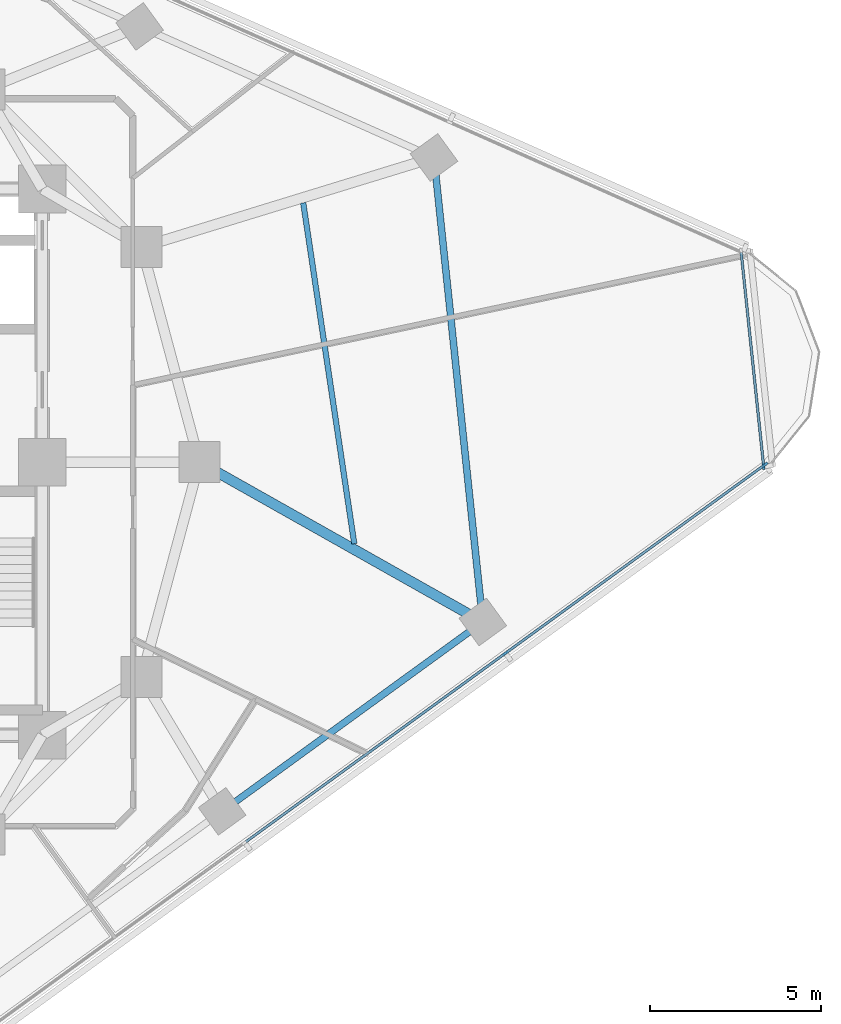
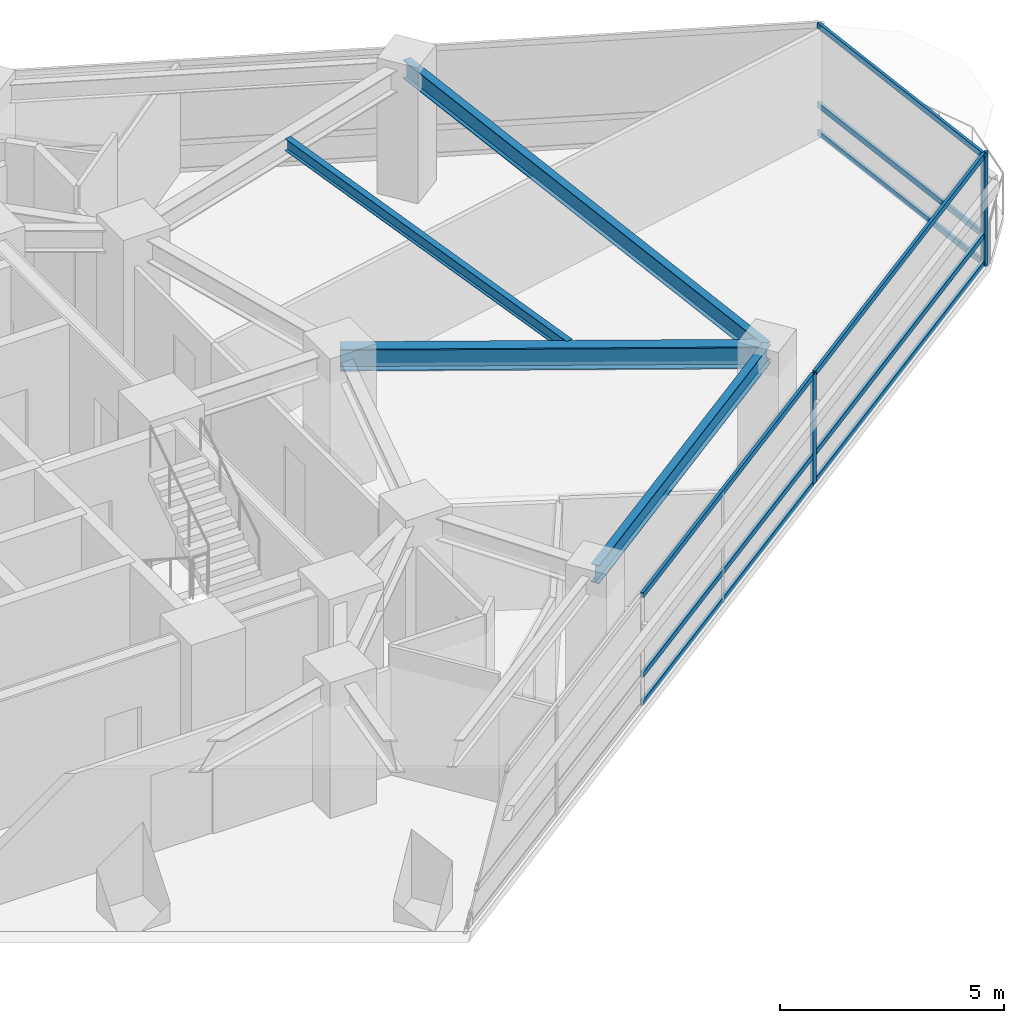
# One storey, part 4 of 14: 12 members, 4 beams, 2 elements without a shape of their own.
"""IFC4 building model written with IfcOpenShell, lengths in metres."""

from ifc_helpers import new_model, si_unit, direction, frame, origin, origin_2d, place, context, subcontext, project, spatial, rectangle, i_section, extrude, material, layer, layer_set, material_profile, profile_set, type_object, element, aggregate, save


model = new_model("IFC4")

# Units and contexts
model_context = context("Model", 3, precision=1e-05, world=origin(), true_north=direction((0.0, 1.0)))
body_context = subcontext(model_context, "Body", "Model", "MODEL_VIEW")
ifc_project = project(units=[si_unit("LENGTHUNIT", "METRE"), si_unit("AREAUNIT", "SQUARE_METRE"), si_unit("VOLUMEUNIT", "CUBIC_METRE"), si_unit("PLANEANGLEUNIT", "RADIAN"), si_unit("MASSUNIT", "GRAM", prefix="KILO")], contexts=[model_context])

# Site, building, storey
site_placement = place(None, origin())
site = spatial("IfcSite", under=ifc_project, at=site_placement, CompositionType="ELEMENT")
building_placement = place(site_placement, origin())
building = spatial("IfcBuilding", under=site, at=building_placement, Name="Terralouvre Media Tower", CompositionType="ELEMENT")
storey_placement = place(building_placement, frame((0.0, 0.0, 165.699951171875)))
storey = spatial("IfcBuildingStorey", under=building, at=storey_placement, Name="L42", CompositionType="ELEMENT", Elevation=165.699951171875)

# Beam
ifc_material_1 = material(Name="Structural steel S355J2", Category="steel")
ifc_material_profile_1 = material_profile(ifc_material_1, i_section(OverallWidth=0.159912109375, OverallDepth=0.330078125, WebThickness=0.007568359375, FlangeThickness=0.011474609375, at=origin_2d()), Name="IPE 330")
ifc_profile_set_1 = profile_set([ifc_material_profile_1], Name="Structural steel S355J2")
beam_type_1 = type_object("IfcBeamType", Name="Composite Floor Joist J-IPE330 (IPE 330)", PredefinedType="JOIST", material=ifc_profile_set_1)
beam_1_placement = place(storey_placement, frame((17.1396484375, -2.38916015625, 3.3349609375), z_axis=(-0.148174915539, 0.988961169311, 0.0), x_axis=(-0.988961169311, -0.148174915539, 0.0)))
element("IfcBeam", 1, at=beam_1_placement, inside=storey, type_object=beam_type_1, Name="L42 Framing Beam JT-L42-03", PredefinedType="JOIST", context=body_context, shape_type="SweptSolid", body=[
    extrude(i_section(OverallWidth=0.159912109375, OverallDepth=0.330078125, WebThickness=0.007568359375, FlangeThickness=0.011474609375, at=origin_2d()), origin(), (0.0, 0.0, 1.0), 10.096923828125),
])

# Curtain wall, members
ifc_material_2 = material(Name="Low-iron laminated double glazing with solar-control coating", Category="glass")
ifc_layer_1 = layer(ifc_material_2, 0.1650390625, Name="Production Studio Tower Curtain Wall CW-03")
ifc_layer_set_1 = layer_set([ifc_layer_1], Name="Low-iron laminated double glazing with solar-control coating")
curtain_wall_type_1 = type_object("IfcCurtainWallType", Name="Production Studio Tower Curtain Wall CW-03", PredefinedType="NOTDEFINED", material=ifc_layer_set_1)
curtain_wall_1_placement = place(storey_placement, origin())
curtain_wall_1 = element("IfcCurtainWall", 2, at=curtain_wall_1_placement, inside=storey, type_object=curtain_wall_type_1, Name="L42 Facade Curtain Wall F0", PredefinedType="NOTDEFINED")
ifc_material_3 = material(Name="Anodised extruded aluminium 6063-T6", Category="aluminium")
ifc_material_profile_2 = material_profile(ifc_material_3, rectangle(XDim=0.074951171875, YDim=0.14990234375, at=origin_2d()), Name="ALU 75x150")
ifc_profile_set_2 = profile_set([ifc_material_profile_2], Name="Anodised extruded aluminium 6063-T6")
member_type_1 = type_object("IfcMemberType", Name="Curtain-Wall Horizontal Transom TR-150", PredefinedType="USERDEFINED", material=ifc_profile_set_2)
member_1_placement = place(storey_placement, frame((13.9619140625, -11.123046875, 0.03759765625), z_axis=(0.809023450607, 0.587776365948, 0.0), x_axis=(-0.587776365948, 0.809023450607, 0.0)))
member_1 = element("IfcMember", 3, at=member_1_placement, type_object=member_type_1, Name="CW-03 transom 4.1", ObjectType="TRANSOM", PredefinedType="USERDEFINED", context=body_context, shape_type="SweptSolid", body=[
    extrude(rectangle(XDim=0.074951171875, YDim=0.14990234375, at=origin_2d()), origin(), (0.0, 0.0, 1.0), 9.365234375),
])
member_2_placement = place(storey_placement, frame((13.9619140625, -11.123046875, 0.800048828125), z_axis=(0.809023450607, 0.587776365948, 0.0), x_axis=(-0.587776365948, 0.809023450607, 0.0)))
member_2 = element("IfcMember", 4, at=member_2_placement, type_object=member_type_1, Name="CW-03 transom 4.2", ObjectType="TRANSOM", PredefinedType="USERDEFINED", context=body_context, shape_type="SweptSolid", body=[
    extrude(rectangle(XDim=0.074951171875, YDim=0.14990234375, at=origin_2d()), origin(), (0.0, 0.0, 1.0), 9.365234375),
])
member_3_placement = place(storey_placement, frame((13.9619140625, -11.123046875, 2.962646484375), z_axis=(0.809023450607, 0.587776365948, 0.0), x_axis=(-0.587776365948, 0.809023450607, 0.0)))
member_3 = element("IfcMember", 5, at=member_3_placement, type_object=member_type_1, Name="CW-03 transom 4.3", ObjectType="TRANSOM", PredefinedType="USERDEFINED", context=body_context, shape_type="SweptSolid", body=[
    extrude(rectangle(XDim=0.074951171875, YDim=0.14990234375, at=origin_2d()), origin(), (0.0, 0.0, 1.0), 9.365234375),
])
member_4_placement = place(storey_placement, frame((21.59912109375, -5.574462890625, 0.03759765625), z_axis=(0.809013297727, 0.587790340259, 0.0), x_axis=(-0.587790340259, 0.809013297727, 0.0)))
member_4 = element("IfcMember", 6, at=member_4_placement, type_object=member_type_1, Name="CW-03 transom 5.1", ObjectType="TRANSOM", PredefinedType="USERDEFINED", context=body_context, shape_type="SweptSolid", body=[
    extrude(rectangle(XDim=0.074951171875, YDim=0.14990234375, at=origin_2d()), origin(), (0.0, 0.0, 1.0), 9.32763671875),
])
member_5_placement = place(storey_placement, frame((21.59912109375, -5.574462890625, 0.800048828125), z_axis=(0.809013297727, 0.587790340259, 0.0), x_axis=(-0.587790340259, 0.809013297727, 0.0)))
member_5 = element("IfcMember", 7, at=member_5_placement, type_object=member_type_1, Name="CW-03 transom 5.2", ObjectType="TRANSOM", PredefinedType="USERDEFINED", context=body_context, shape_type="SweptSolid", body=[
    extrude(rectangle(XDim=0.074951171875, YDim=0.14990234375, at=origin_2d()), origin(), (0.0, 0.0, 1.0), 9.32763671875),
])
member_6_placement = place(storey_placement, frame((21.59912109375, -5.574462890625, 2.962646484375), z_axis=(0.809013297727, 0.587790340259, 0.0), x_axis=(-0.587790340259, 0.809013297727, 0.0)))
member_6 = element("IfcMember", 8, at=member_6_placement, type_object=member_type_1, Name="CW-03 transom 5.3", ObjectType="TRANSOM", PredefinedType="USERDEFINED", context=body_context, shape_type="SweptSolid", body=[
    extrude(rectangle(XDim=0.074951171875, YDim=0.14990234375, at=origin_2d()), origin(), (0.0, 0.0, 1.0), 9.32763671875),
])

ifc_material_4 = material(Name="Low-iron laminated double glazing with solar-control coating", Category="glass")
ifc_layer_2 = layer(ifc_material_4, 0.1650390625, Name="Rounded Wind-Corner Curved Glazing CW-04")
ifc_layer_set_2 = layer_set([ifc_layer_2], Name="Low-iron laminated double glazing with solar-control coating")
curtain_wall_type_2 = type_object("IfcCurtainWallType", Name="Rounded Wind-Corner Curved Glazing CW-04", PredefinedType="NOTDEFINED", material=ifc_layer_set_2)
curtain_wall_2_placement = place(storey_placement, origin())
curtain_wall_2 = element("IfcCurtainWall", 9, at=curtain_wall_2_placement, inside=storey, type_object=curtain_wall_type_2, Name="L42 Rounded Wind-Corner Curtain Wall C1", PredefinedType="NOTDEFINED")
member_7_placement = place(storey_placement, frame((29.12939453125, -0.0849609375, 0.03759765625), z_axis=(-0.104542643073, 0.994520404908, 0.0), x_axis=(-0.994520404908, -0.104542643073, 0.0)))
member_7 = element("IfcMember", 10, at=member_7_placement, type_object=member_type_1, Name="CW-04 transom 1.1", ObjectType="TRANSOM", PredefinedType="USERDEFINED", context=body_context, shape_type="SweptSolid", body=[
    extrude(rectangle(XDim=0.074951171875, YDim=0.14990234375, at=origin_2d()), origin(), (0.0, 0.0, 1.0), 6.258544921875),
])
member_8_placement = place(storey_placement, frame((29.12939453125, -0.0849609375, 0.800048828125), z_axis=(-0.104542643073, 0.994520404908, 0.0), x_axis=(-0.994520404908, -0.104542643073, 0.0)))
member_8 = element("IfcMember", 11, at=member_8_placement, type_object=member_type_1, Name="CW-04 transom 1.2", ObjectType="TRANSOM", PredefinedType="USERDEFINED", context=body_context, shape_type="SweptSolid", body=[
    extrude(rectangle(XDim=0.074951171875, YDim=0.14990234375, at=origin_2d()), origin(), (0.0, 0.0, 1.0), 6.258544921875),
])
member_9_placement = place(storey_placement, frame((29.12939453125, -0.0849609375, 2.962646484375), z_axis=(-0.104542643073, 0.994520404908, 0.0), x_axis=(-0.994520404908, -0.104542643073, 0.0)))
member_9 = element("IfcMember", 12, at=member_9_placement, type_object=member_type_1, Name="CW-04 transom 1.3", ObjectType="TRANSOM", PredefinedType="USERDEFINED", context=body_context, shape_type="SweptSolid", body=[
    extrude(rectangle(XDim=0.074951171875, YDim=0.14990234375, at=origin_2d()), origin(), (0.0, 0.0, 1.0), 6.258544921875),
])

# Member
ifc_material_5 = material(Name="Anodised extruded aluminium 6063-T6", Category="aluminium")
ifc_material_profile_3 = material_profile(ifc_material_5, rectangle(XDim=0.074951171875, YDim=0.179931640625, at=origin_2d()), Name="ALU 75x180")
ifc_profile_set_3 = profile_set([ifc_material_profile_3], Name="Anodised extruded aluminium 6063-T6")
member_type_2 = type_object("IfcMemberType", Name="Curtain-Wall Vertical Mullion ML-180", PredefinedType="MULLION", material=ifc_profile_set_3)
member_10_placement = place(storey_placement, frame((21.56884765625, -5.596435546875, 0.0), z_axis=(0.0, 0.0, 1.0), x_axis=(-0.587785358263, 0.809016917383, 0.0)))
member_10 = element("IfcMember", 13, at=member_10_placement, type_object=member_type_2, Name="CW-03 mullion 5", PredefinedType="MULLION", context=body_context, shape_type="SweptSolid", body=[
    extrude(rectangle(XDim=0.074951171875, YDim=0.179931640625, at=origin_2d()), origin(), (0.0, 0.0, 1.0), 3.0),
])

member_11_placement = place(storey_placement, frame((29.175537109375, -0.06982421875, 0.0), z_axis=(0.0, 0.0, 1.0), x_axis=(-0.587785358263, 0.809016917383, 0.0)))
member_11 = element("IfcMember", 14, at=member_11_placement, type_object=member_type_2, Name="CW-03 mullion 6", PredefinedType="MULLION", context=body_context, shape_type="SweptSolid", body=[
    extrude(rectangle(XDim=0.074951171875, YDim=0.179931640625, at=origin_2d()), origin(), (0.0, 0.0, 1.0), 3.0),
])

aggregate(curtain_wall_1, [member_10, member_11, member_1, member_2, member_3, member_4, member_5, member_6])

member_12_placement = place(storey_placement, frame((29.13330078125, -0.122314453125, 0.0), z_axis=(0.0, 0.0, 1.0), x_axis=(-0.994521891172, -0.10452850319, 0.0)))
member_12 = element("IfcMember", 15, at=member_12_placement, type_object=member_type_2, Name="CW-04 mullion 1", PredefinedType="MULLION", context=body_context, shape_type="SweptSolid", body=[
    extrude(rectangle(XDim=0.074951171875, YDim=0.179931640625, at=origin_2d()), origin(), (0.0, 0.0, 1.0), 3.0),
])

aggregate(curtain_wall_2, [member_12, member_7, member_8, member_9])

# Beams
ifc_material_6 = material(Name="Structural steel S355J2", Category="steel")
ifc_material_profile_4 = material_profile(ifc_material_6, i_section(OverallWidth=0.199951171875, OverallDepth=0.5, WebThickness=0.01025390625, FlangeThickness=0.01611328125, at=origin_2d()), Name="IPE 500")
ifc_profile_set_4 = profile_set([ifc_material_profile_4], Name="Structural steel S355J2")
beam_type_2 = type_object("IfcBeamType", Name="Perimeter Spandrel Beam SPB-500 (IPE 500)", PredefinedType="SPANDREL", material=ifc_profile_set_4)
beam_2_placement = place(storey_placement, frame((13.267578125, -10.23095703125, 3.25), z_axis=(0.809016709277, 0.587785644696, 0.0), x_axis=(-0.587785644696, 0.809016709277, 0.0)))
element("IfcBeam", 16, at=beam_2_placement, inside=storey, type_object=beam_type_2, Name="L42 Framing Beam BM-L42-PR05", PredefinedType="SPANDREL", context=body_context, shape_type="SweptSolid", body=[
    extrude(i_section(OverallWidth=0.199951171875, OverallDepth=0.5, WebThickness=0.01025390625, FlangeThickness=0.01611328125, at=origin_2d()), origin(), (0.0, 0.0, 1.0), 9.439697265625),
])
beam_3_placement = place(storey_placement, frame((20.904541015625, -4.682373046875, 3.25), z_axis=(-0.104517607269, 0.99452303632, 0.0), x_axis=(-0.99452303632, -0.104517607269, 0.0)))
element("IfcBeam", 17, at=beam_3_placement, inside=storey, type_object=beam_type_2, Name="L42 Framing Beam BM-L42-PR06", PredefinedType="SPANDREL", context=body_context, shape_type="SweptSolid", body=[
    extrude(i_section(OverallWidth=0.199951171875, OverallDepth=0.5, WebThickness=0.01025390625, FlangeThickness=0.01611328125, at=origin_2d()), origin(), (0.0, 0.0, 1.0), 13.68359375),
])
ifc_material_7 = material(Name="Structural steel S460M", Category="steel")
ifc_material_profile_5 = material_profile(ifc_material_7, i_section(OverallWidth=0.300048828125, OverallDepth=0.60009765625, WebThickness=0.015380859375, FlangeThickness=0.030029296875, at=origin_2d()), Name="HEB 600")
ifc_profile_set_5 = profile_set([ifc_material_profile_5], Name="Structural steel S460M")
beam_type_3 = type_object("IfcBeamType", Name="Primary Floor Girder B-HEB600 (HEB 600)", PredefinedType="BEAM", material=ifc_profile_set_5)
beam_4_placement = place(storey_placement, frame((12.60009765625, 0.0, 3.199951171875), z_axis=(0.871076516642, -0.491147332432, 0.0), x_axis=(0.491147332432, 0.871076516642, 0.0)))
element("IfcBeam", 18, at=beam_4_placement, inside=storey, type_object=beam_type_3, Name="L42 Framing Beam BM-L42-RD06", PredefinedType="BEAM", context=body_context, shape_type="SweptSolid", body=[
    extrude(i_section(OverallWidth=0.300048828125, OverallDepth=0.60009765625, WebThickness=0.015380859375, FlangeThickness=0.030029296875, at=origin_2d()), origin(), (0.0, 0.0, 1.0), 9.533447265625),
])

save(model, "model.ifc")
